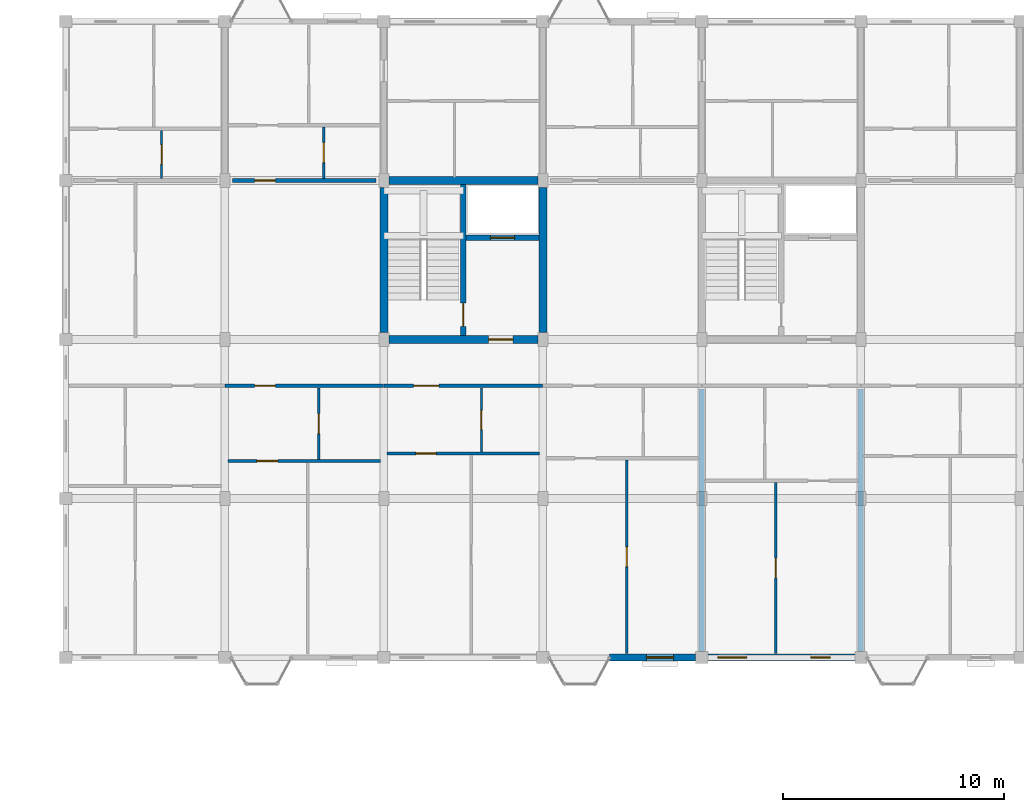
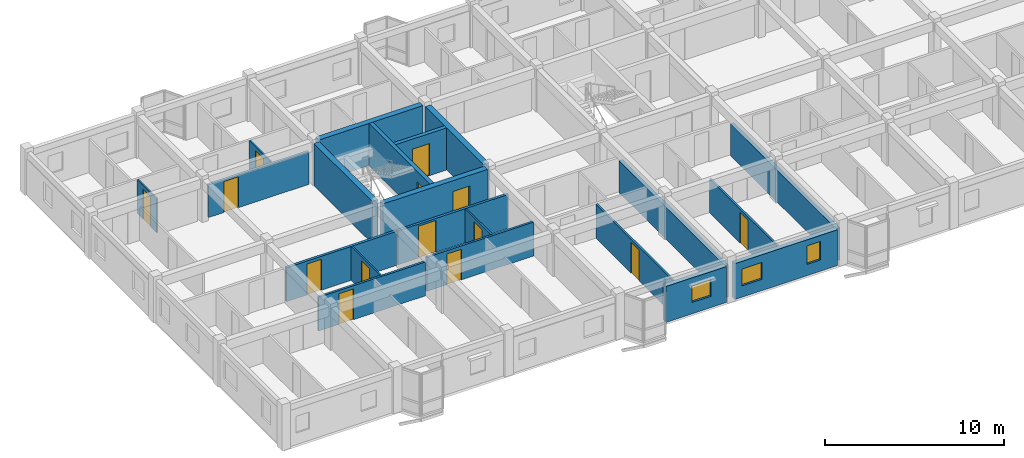
# One storey, part 66 of 77: 21 walls, 14 doors, 3 windows, 17 openings.
"""IFC4 building model written with IfcOpenShell, lengths in metres."""

from ifc_helpers import new_model, si_unit, direction, frame, frame_2d, origin, place, context, subcontext, project, spatial, rectangle, extrude, material, layer, layer_set, type_object, element, fill, save


model = new_model("IFC4")

# Units and contexts
model_context = context("Model", 3, precision=1e-05, world=origin(), true_north=direction((0.0, 1.0)))
body_context = subcontext(model_context, "Body", "Model", "MODEL_VIEW")
ifc_project = project(units=[si_unit("LENGTHUNIT", "METRE"), si_unit("AREAUNIT", "SQUARE_METRE"), si_unit("VOLUMEUNIT", "CUBIC_METRE"), si_unit("PLANEANGLEUNIT", "RADIAN"), si_unit("MASSUNIT", "GRAM", prefix="KILO"), si_unit("THERMODYNAMICTEMPERATUREUNIT", "KELVIN"), si_unit("POWERUNIT", "WATT")], contexts=[model_context])

# Site, building, storey
site_placement = place(None, origin())
site = spatial("IfcSite", under=ifc_project, at=site_placement, CompositionType="ELEMENT")
building_placement = place(site_placement, origin())
building = spatial("IfcBuilding", under=site, at=building_placement, Name="Tavuni Mirador Residences", CompositionType="ELEMENT")
storey_placement = place(building_placement, frame((0.0, 0.0, 17.10009765625)))
storey = spatial("IfcBuildingStorey", under=building, at=storey_placement, Name="L05", CompositionType="ELEMENT", Elevation=17.10009765625)

# Wall, opening, door
ifc_material_1 = material(Name="Precast concrete C40/50", Category="concrete")
ifc_layer_1 = layer(ifc_material_1, 0.25, Name="Precast concrete C40/50", Category="concrete")
ifc_layer_set_1 = layer_set([ifc_layer_1], Name="Precast concrete C40/50")
wall_type_1 = type_object("IfcWallType", Name="WT-COR250", PredefinedType="SHEAR", material=ifc_layer_set_1)
wall_1_placement = place(storey_placement, frame((28.800048828125, 158.580078125, 0.0), z_axis=(0.0, 0.0, 1.0), x_axis=(0.0, 1.0, 0.0)))
wall_1 = element("IfcWall", 1, at=wall_1_placement, inside=storey, type_object=wall_type_1, Name="CWALL-C5-L05-MID", PredefinedType="SHEAR", context=body_context, shape_type="SweptSolid", body=[
    extrude(rectangle(XDim=6.83984375, YDim=0.25, at=frame_2d((3.419921875, 0.0))), origin(), (0.0, 0.0, 1.0), 2.885009765625),
])
opening_1_placement = place(wall_1_placement, frame((0.419921875, 0.0, 0.0)))
opening_1 = element("IfcOpeningElement", 2, at=opening_1_placement, cuts=wall_1, Name="Opening D-01", PredefinedType="OPENING", context=body_context, shape_type="SweptSolid", body=[
    extrude(rectangle(XDim=1.050048828125, YDim=2.14990234375, at=frame_2d((0.52490234375, 1.074951171875))), frame((0.0, 0.135009765625, 0.0), z_axis=(0.0, -1.0, 0.0), x_axis=(1.0, 0.0, 0.0)), (0.0, 0.0, 1.0), 0.27001953125),
])
ifc_material_2 = material(Name="Solid core iroko timber", Category="wood")
door_type_1 = type_object("IfcDoorType", Name="DT-ST1050", OperationType="NOTDEFINED", PredefinedType="DOOR", material=ifc_material_2)
door_1_placement = place(opening_1_placement, origin())
door_1 = element("IfcDoor", 3, at=door_1_placement, inside=storey, type_object=door_type_1, Name="DR-2190", OperationType="SINGLE_SWING_RIGHT", OverallHeight=2.14990234375, OverallWidth=1.050048828125, PredefinedType="DOOR", context=body_context, shape_type="SweptSolid", body=[
    extrude(rectangle(XDim=1.050048828125, YDim=2.14990234375, at=frame_2d((0.52490234375, 1.074951171875))), frame((0.0, 0.02490234375, 0.0), z_axis=(0.0, -1.0, 0.0), x_axis=(1.0, 0.0, 0.0)), (0.0, 0.0, 1.0), 0.050048828125),
])
fill(opening_1, door_1)

wall_2_placement = place(storey_placement, frame((28.925048828125, 163.0, 0.0), z_axis=(0.0, 0.0, 1.0), x_axis=(1.0, 0.0, 0.0)))
wall_2 = element("IfcWall", 4, at=wall_2_placement, inside=storey, type_object=wall_type_1, Name="CWALL-C5-L05-SHF", PredefinedType="SHEAR", context=body_context, shape_type="SweptSolid", body=[
    extrude(rectangle(XDim=3.294921875, YDim=0.25, at=frame_2d((1.6474609375, 0.0))), origin(), (0.0, 0.0, 1.0), 2.885009765625),
])
opening_2_placement = place(wall_2_placement, frame((1.10009765625, 0.0, 0.0)))
opening_2 = element("IfcOpeningElement", 5, at=opening_2_placement, cuts=wall_2, Name="Opening LD-01", PredefinedType="OPENING", context=body_context, shape_type="SweptSolid", body=[
    extrude(rectangle(XDim=1.10009765625, YDim=2.199951171875, at=frame_2d((0.550048828125, 1.10009765625))), frame((0.0, 0.135009765625, 0.0), z_axis=(0.0, -1.0, 0.0), x_axis=(1.0, 0.0, 0.0)), (0.0, 0.0, 1.0), 0.27001953125),
])
ifc_material_3 = material(Name="Structural steel S355", Category="steel")
door_type_2 = type_object("IfcDoorType", Name="DT-LD-FF", OperationType="SLIDING_TO_LEFT", PredefinedType="DOOR", material=ifc_material_3)
door_2_placement = place(opening_2_placement, origin())
door_2 = element("IfcDoor", 6, at=door_2_placement, inside=storey, type_object=door_type_2, Name="Lift landing door FL-C1 L05", OperationType="SLIDING_TO_LEFT", OverallHeight=2.199951171875, OverallWidth=1.10009765625, PredefinedType="DOOR", context=body_context, shape_type="SweptSolid", body=[
    extrude(rectangle(XDim=1.10009765625, YDim=2.199951171875, at=frame_2d((0.550048828125, 1.10009765625))), frame((0.0, 0.02490234375, 0.0), z_axis=(0.0, -1.0, 0.0), x_axis=(1.0, 0.0, 0.0)), (0.0, 0.0, 1.0), 0.050048828125),
])
fill(opening_2, door_2)

# Walls
ifc_layer_2 = layer(ifc_material_1, 0.360107421875, Name="Precast concrete C40/50", Category="concrete")
ifc_layer_set_2 = layer_set([ifc_layer_2], Name="Precast concrete C40/50")
wall_type_2 = type_object("IfcWallType", Name="WT-COR360", PredefinedType="SHEAR", material=ifc_layer_set_2)
wall_3_placement = place(storey_placement, frame((25.199951171875, 158.72509765625, 0.0), z_axis=(0.0, 0.0, 1.0), x_axis=(0.0, 1.0, 0.0)))
element("IfcWall", 7, at=wall_3_placement, inside=storey, type_object=wall_type_2, Name="CWALL-C5-L05-W", PredefinedType="SHEAR", context=body_context, shape_type="SweptSolid", body=[
    extrude(rectangle(XDim=6.5498046875, YDim=0.360107421875, at=frame_2d((3.27490234375, 0.0))), origin(), (0.0, 0.0, 1.0), 2.885009765625),
])
wall_4_placement = place(storey_placement, frame((25.425048828125, 165.60009765625, 0.0), z_axis=(0.0, 0.0, 1.0), x_axis=(1.0, 0.0, 0.0)))
element("IfcWall", 8, at=wall_4_placement, inside=storey, type_object=wall_type_2, Name="CWALL-C5-L05-N", PredefinedType="SHEAR", context=body_context, shape_type="SweptSolid", body=[
    extrude(rectangle(XDim=6.75, YDim=0.360107421875, at=frame_2d((3.375, 0.0))), origin(), (0.0, 0.0, 1.0), 2.885009765625),
])
wall_5_placement = place(storey_placement, frame((32.39990234375, 158.72509765625, 0.0), z_axis=(0.0, 0.0, 1.0), x_axis=(0.0, 1.0, 0.0)))
element("IfcWall", 9, at=wall_5_placement, inside=storey, type_object=wall_type_2, Name="CWALL-C5-L05-E", PredefinedType="SHEAR", context=body_context, shape_type="SweptSolid", body=[
    extrude(rectangle(XDim=6.5498046875, YDim=0.360107421875, at=frame_2d((3.27490234375, 0.0))), origin(), (0.0, 0.0, 1.0), 2.885009765625),
])

# Wall, opening, door
wall_6_placement = place(storey_placement, frame((25.425048828125, 158.39990234375, 0.0), z_axis=(0.0, 0.0, 1.0), x_axis=(1.0, 0.0, 0.0)))
wall_6 = element("IfcWall", 10, at=wall_6_placement, inside=storey, type_object=wall_type_2, Name="CWALL-C5-L05-SS", PredefinedType="SHEAR", context=body_context, shape_type="SweptSolid", body=[
    extrude(rectangle(XDim=6.75, YDim=0.360107421875, at=frame_2d((3.375, 0.0))), origin(), (0.0, 0.0, 1.0), 2.885009765625),
])
opening_3_placement = place(wall_6_placement, frame((4.52490234375, 0.0, 0.0)))
opening_3 = element("IfcOpeningElement", 11, at=opening_3_placement, cuts=wall_6, Name="Opening D-02", PredefinedType="OPENING", context=body_context, shape_type="SweptSolid", body=[
    extrude(rectangle(XDim=1.10009765625, YDim=2.14990234375, at=frame_2d((0.550048828125, 1.074951171875))), frame((0.0, 0.18994140625, 0.0), z_axis=(0.0, -1.0, 0.0), x_axis=(1.0, 0.0, 0.0)), (0.0, 0.0, 1.0), 0.380126953125),
])
door_type_3 = type_object("IfcDoorType", Name="DT-LOB1100", OperationType="NOTDEFINED", PredefinedType="DOOR", material=ifc_material_2)
door_3_placement = place(opening_3_placement, frame((1.10009765625, 0.0, 0.0), z_axis=(0.0, 0.0, 1.0), x_axis=(-1.0, 0.0, 0.0)))
door_3 = element("IfcDoor", 12, at=door_3_placement, inside=storey, type_object=door_type_3, Name="DR-2189", OperationType="SINGLE_SWING_LEFT", OverallHeight=2.14990234375, OverallWidth=1.10009765625, PredefinedType="DOOR", context=body_context, shape_type="SweptSolid", body=[
    extrude(rectangle(XDim=1.10009765625, YDim=2.14990234375, at=frame_2d((0.550048828125, 1.074951171875))), frame((0.0, 0.02490234375, 0.0), z_axis=(0.0, -1.0, 0.0), x_axis=(1.0, 0.0, 0.0)), (0.0, 0.0, 1.0), 0.050048828125),
])
fill(opening_3, door_3)

ifc_layer_3 = layer(ifc_material_1, 0.1650390625, Name="Precast concrete C40/50", Category="concrete")
ifc_layer_set_3 = layer_set([ifc_layer_3], Name="Precast concrete C40/50")
wall_type_3 = type_object("IfcWallType", Name="WT-CORR165", PredefinedType="PARTITIONING", material=ifc_layer_set_3)
wall_7_placement = place(storey_placement, frame((18.02001953125, 156.300048828125, 0.0), z_axis=(0.0, 0.0, 1.0), x_axis=(1.0, 0.0, 0.0)))
wall_7 = element("IfcWall", 13, at=wall_7_placement, inside=storey, type_object=wall_type_3, Name="CORW-BLK-C-L05-0-01", PredefinedType="PARTITIONING", context=body_context, shape_type="SweptSolid", body=[
    extrude(rectangle(XDim=7.159912109375, YDim=0.1650390625, at=frame_2d((3.580078125, 0.0))), origin(), (0.0, 0.0, 1.0), 2.31982421875),
])
opening_4_placement = place(wall_7_placement, frame((1.330078125, 0.0, 0.0)))
opening_4 = element("IfcOpeningElement", 14, at=opening_4_placement, cuts=wall_7, Name="Opening D-19", PredefinedType="OPENING", context=body_context, shape_type="SweptSolid", body=[
    extrude(rectangle(XDim=0.93994140625, YDim=2.1201171875, at=frame_2d((0.469970703125, 1.06005859375))), frame((0.0, 0.092529296875, 0.0), z_axis=(0.0, -1.0, 0.0), x_axis=(1.0, 0.0, 0.0)), (0.0, 0.0, 1.0), 0.18505859375),
])
door_type_4 = type_object("IfcDoorType", Name="DT-FD60-940", OperationType="NOTDEFINED", PredefinedType="DOOR", material=ifc_material_2)
door_4_placement = place(opening_4_placement, origin())
door_4 = element("IfcDoor", 15, at=door_4_placement, inside=storey, type_object=door_type_4, Name="DR-2692", OperationType="SINGLE_SWING_LEFT", OverallHeight=2.1201171875, OverallWidth=0.93994140625, PredefinedType="DOOR", context=body_context, shape_type="SweptSolid", body=[
    extrude(rectangle(XDim=0.93994140625, YDim=2.1201171875, at=frame_2d((0.469970703125, 1.06005859375))), frame((0.0, 0.02490234375, 0.0), z_axis=(0.0, -1.0, 0.0), x_axis=(1.0, 0.0, 0.0)), (0.0, 0.0, 1.0), 0.050048828125),
])
fill(opening_4, door_4)

wall_8_placement = place(storey_placement, frame((25.219970703125, 156.300048828125, 0.0), z_axis=(0.0, 0.0, 1.0), x_axis=(1.0, 0.0, 0.0)))
wall_8 = element("IfcWall", 16, at=wall_8_placement, inside=storey, type_object=wall_type_3, Name="CORW-BLK-C-L05-0-02", PredefinedType="PARTITIONING", context=body_context, shape_type="SweptSolid", body=[
    extrude(rectangle(XDim=7.159912109375, YDim=0.1650390625, at=frame_2d((3.580078125, 0.0))), origin(), (0.0, 0.0, 1.0), 2.31982421875),
])
opening_5_placement = place(wall_8_placement, frame((1.330078125, 0.0, 0.0)))
opening_5 = element("IfcOpeningElement", 17, at=opening_5_placement, cuts=wall_8, Name="Opening D-20", PredefinedType="OPENING", context=body_context, shape_type="SweptSolid", body=[
    extrude(rectangle(XDim=1.139892578125, YDim=2.179931640625, at=frame_2d((0.56982421875, 1.08984375))), frame((0.0, 0.092529296875, 0.0), z_axis=(0.0, -1.0, 0.0), x_axis=(1.0, 0.0, 0.0)), (0.0, 0.0, 1.0), 0.18505859375),
])
door_type_5 = type_object("IfcDoorType", Name="DT-FD60-1140", OperationType="NOTDEFINED", PredefinedType="DOOR", material=ifc_material_2)
door_5_placement = place(opening_5_placement, origin())
door_5 = element("IfcDoor", 18, at=door_5_placement, inside=storey, type_object=door_type_5, Name="DR-2693", OperationType="SINGLE_SWING_RIGHT", OverallHeight=2.179931640625, OverallWidth=1.139892578125, PredefinedType="DOOR", context=body_context, shape_type="SweptSolid", body=[
    extrude(rectangle(XDim=1.139892578125, YDim=2.179931640625, at=frame_2d((0.56982421875, 1.08984375))), frame((0.0, 0.02490234375, 0.0), z_axis=(0.0, -1.0, 0.0), x_axis=(1.0, 0.0, 0.0)), (0.0, 0.0, 1.0), 0.050048828125),
])
fill(opening_5, door_5)

wall_9_placement = place(storey_placement, frame((18.35009765625, 165.60009765625, 0.0), z_axis=(0.0, 0.0, 1.0), x_axis=(1.0, 0.0, 0.0)))
wall_9 = element("IfcWall", 19, at=wall_9_placement, inside=storey, type_object=wall_type_3, Name="CORW-BLK-C-L05-1-01", PredefinedType="PARTITIONING", context=body_context, shape_type="SweptSolid", body=[
    extrude(rectangle(XDim=6.5, YDim=0.1650390625, at=frame_2d((3.25, 0.0))), origin(), (0.0, 0.0, 1.0), 2.23486328125),
])
opening_6_placement = place(wall_9_placement, frame((1.0, 0.0, 0.0)))
opening_6 = element("IfcOpeningElement", 20, at=opening_6_placement, cuts=wall_9, Name="Opening D-19", PredefinedType="OPENING", context=body_context, shape_type="SweptSolid", body=[
    extrude(rectangle(XDim=0.93994140625, YDim=2.1201171875, at=frame_2d((0.469970703125, 1.06005859375))), frame((0.0, 0.092529296875, 0.0), z_axis=(0.0, -1.0, 0.0), x_axis=(1.0, 0.0, 0.0)), (0.0, 0.0, 1.0), 0.18505859375),
])
door_6_placement = place(opening_6_placement, origin())
door_6 = element("IfcDoor", 21, at=door_6_placement, inside=storey, type_object=door_type_4, Name="DR-2701", OperationType="SINGLE_SWING_RIGHT", OverallHeight=2.1201171875, OverallWidth=0.93994140625, PredefinedType="DOOR", context=body_context, shape_type="SweptSolid", body=[
    extrude(rectangle(XDim=0.93994140625, YDim=2.1201171875, at=frame_2d((0.469970703125, 1.06005859375))), frame((0.0, 0.02490234375, 0.0), z_axis=(0.0, -1.0, 0.0), x_axis=(1.0, 0.0, 0.0)), (0.0, 0.0, 1.0), 0.050048828125),
])
fill(opening_6, door_6)

# Wall, openings, windows
ifc_material_4 = material(Name="Sgraffito lime-rendered precast concrete C40/50", Category="concrete")
ifc_layer_4 = layer(ifc_material_4, 0.304931640625, Name="Sgraffito lime-rendered precast concrete C40/50", Category="concrete")
ifc_layer_set_4 = layer_set([ifc_layer_4], Name="Sgraffito lime-rendered precast concrete C40/50")
wall_type_4 = type_object("IfcWallType", Name="WT-EXT-PC305", PredefinedType="SOLIDWALL", material=ifc_layer_set_4)
wall_10_placement = place(storey_placement, frame((39.875, 144.0, 0.0), z_axis=(0.0, 0.0, 1.0), x_axis=(1.0, 0.0, 0.0)))
wall_10 = element("IfcWall", 22, at=wall_10_placement, inside=storey, type_object=wall_type_4, Name="EW-BLK-C-L05-S04", PredefinedType="SOLIDWALL", context=body_context, shape_type="SweptSolid", body=[
    extrude(rectangle(XDim=6.64990234375, YDim=0.304931640625, at=frame_2d((3.324951171875, 0.0))), origin(), (0.0, 0.0, 1.0), 2.454833984375),
])
opening_7_placement = place(wall_10_placement, frame((0.449951171875, 0.0, 0.780029296875)))
opening_7 = element("IfcOpeningElement", 23, at=opening_7_placement, cuts=wall_10, Name="Opening WN-07", PredefinedType="OPENING", context=body_context, shape_type="SweptSolid", body=[
    extrude(rectangle(XDim=1.320068359375, YDim=1.14990234375, at=frame_2d((0.66015625, 0.574951171875))), frame((0.0, 0.16259765625, 0.0), z_axis=(0.0, -1.0, 0.0), x_axis=(1.0, 0.0, 0.0)), (0.0, 0.0, 1.0), 0.324951171875),
])
opening_8_placement = place(wall_10_placement, frame((4.64990234375, 0.0, 0.780029296875)))
opening_8 = element("IfcOpeningElement", 24, at=opening_8_placement, cuts=wall_10, Name="Opening WN-09", PredefinedType="OPENING", context=body_context, shape_type="SweptSolid", body=[
    extrude(rectangle(XDim=0.8798828125, YDim=1.260009765625, at=frame_2d((0.43994140625, 0.6298828125))), frame((0.0, 0.16259765625, 0.0), z_axis=(0.0, -1.0, 0.0), x_axis=(1.0, 0.0, 0.0)), (0.0, 0.0, 1.0), 0.324951171875),
])
ifc_material_5 = material(Name="Laminated solar-control glass", Category="glass")
window_type_1 = type_object("IfcWindowType", Name="WNT-07", PartitioningType="SINGLE_PANEL", PredefinedType="WINDOW", material=ifc_material_5)
window_1_placement = place(opening_7_placement, origin())
window_1 = element("IfcWindow", 25, at=window_1_placement, inside=storey, type_object=window_type_1, Name="WIN-1051", OverallHeight=1.14990234375, OverallWidth=1.320068359375, PartitioningType="SINGLE_PANEL", PredefinedType="WINDOW", context=body_context, shape_type="SweptSolid", body=[
    extrude(rectangle(XDim=1.320068359375, YDim=1.14990234375, at=frame_2d((0.66015625, 0.574951171875))), frame((0.0, 0.030029296875, 0.0), z_axis=(0.0, -1.0, 0.0), x_axis=(1.0, 0.0, 0.0)), (0.0, 0.0, 1.0), 0.06005859375),
])
fill(opening_7, window_1)
window_type_2 = type_object("IfcWindowType", Name="WNT-09", PartitioningType="SINGLE_PANEL", PredefinedType="WINDOW", material=ifc_material_5)
window_2_placement = place(opening_8_placement, origin())
window_2 = element("IfcWindow", 26, at=window_2_placement, inside=storey, type_object=window_type_2, Name="WIN-1052", OverallHeight=1.260009765625, OverallWidth=0.8798828125, PartitioningType="SINGLE_PANEL", PredefinedType="WINDOW", context=body_context, shape_type="SweptSolid", body=[
    extrude(rectangle(XDim=0.8798828125, YDim=1.260009765625, at=frame_2d((0.43994140625, 0.6298828125))), frame((0.0, 0.030029296875, 0.0), z_axis=(0.0, -1.0, 0.0), x_axis=(1.0, 0.0, 0.0)), (0.0, 0.0, 1.0), 0.06005859375),
])
fill(opening_8, window_2)

# Wall, opening, window
ifc_layer_5 = layer(ifc_material_4, 0.31494140625, Name="Sgraffito lime-rendered precast concrete C40/50", Category="concrete")
ifc_layer_set_5 = layer_set([ifc_layer_5], Name="Sgraffito lime-rendered precast concrete C40/50")
wall_type_5 = type_object("IfcWallType", Name="WT-EXT-PC315", PredefinedType="SOLIDWALL", material=ifc_layer_set_5)
wall_11_placement = place(storey_placement, frame((35.419921875, 144.0, 0.0), z_axis=(0.0, 0.0, 1.0), x_axis=(1.0, 0.0, 0.0)))
wall_11 = element("IfcWall", 27, at=wall_11_placement, inside=storey, type_object=wall_type_5, Name="EW-BLK-C-L05-S03", PredefinedType="SOLIDWALL", context=body_context, shape_type="SweptSolid", body=[
    extrude(rectangle(XDim=3.905029296875, YDim=0.31494140625, at=frame_2d((1.95263671875, 0.0))), origin(), (0.0, 0.0, 1.0), 2.454833984375),
])
opening_9_placement = place(wall_11_placement, frame((1.66748046875, 0.0, 0.780029296875)))
opening_9 = element("IfcOpeningElement", 28, at=opening_9_placement, cuts=wall_11, Name="Opening WN-06", PredefinedType="OPENING", context=body_context, shape_type="SweptSolid", body=[
    extrude(rectangle(XDim=1.239990234375, YDim=1.14990234375, at=frame_2d((0.6201171875, 0.574951171875))), frame((0.0, 0.16748046875, 0.0), z_axis=(0.0, -1.0, 0.0), x_axis=(1.0, 0.0, 0.0)), (0.0, 0.0, 1.0), 0.3349609375),
])
window_type_3 = type_object("IfcWindowType", Name="WNT-06", PartitioningType="SINGLE_PANEL", PredefinedType="WINDOW", material=ifc_material_5)
window_3_placement = place(opening_9_placement, origin())
window_3 = element("IfcWindow", 29, at=window_3_placement, inside=storey, type_object=window_type_3, Name="WIN-1050", OverallHeight=1.14990234375, OverallWidth=1.239990234375, PartitioningType="SINGLE_PANEL", PredefinedType="WINDOW", context=body_context, shape_type="SweptSolid", body=[
    extrude(rectangle(XDim=1.239990234375, YDim=1.14990234375, at=frame_2d((0.6201171875, 0.574951171875))), frame((0.0, 0.030029296875, 0.0), z_axis=(0.0, -1.0, 0.0), x_axis=(1.0, 0.0, 0.0)), (0.0, 0.0, 1.0), 0.06005859375),
])
fill(opening_9, window_3)

# Wall, opening, door
ifc_material_6 = material(Name="Acoustic gypsum and concrete block partition", Category="concrete")
ifc_layer_6 = layer(ifc_material_6, 0.094970703125, Name="Acoustic gypsum and concrete block partition", Category="concrete")
ifc_layer_set_6 = layer_set([ifc_layer_6], Name="Acoustic gypsum and concrete block partition")
wall_type_6 = type_object("IfcWallType", Name="WT-PART095", PredefinedType="PARTITIONING", material=ifc_layer_set_6)
wall_12_placement = place(storey_placement, frame((15.139892578125, 165.68994140625, 0.0), z_axis=(0.0, 0.0, 1.0), x_axis=(0.0, 1.0, 0.0)))
wall_12 = element("IfcWall", 30, at=wall_12_placement, inside=storey, type_object=wall_type_6, Name="PW-BLK-C-L05-N00-IN1", PredefinedType="PARTITIONING", context=body_context, shape_type="SweptSolid", body=[
    extrude(rectangle(XDim=2.18017578125, YDim=0.094970703125, at=frame_2d((1.090087890625, 0.0))), origin(), (0.0, 0.0, 1.0), 2.31982421875),
])
opening_10_placement = place(wall_12_placement, frame((0.655029296875, 0.0, 0.0)))
opening_10 = element("IfcOpeningElement", 31, at=opening_10_placement, cuts=wall_12, Name="Opening D-10", PredefinedType="OPENING", context=body_context, shape_type="SweptSolid", body=[
    extrude(rectangle(XDim=0.8701171875, YDim=2.050048828125, at=frame_2d((0.43505859375, 1.02490234375))), frame((0.0, 0.0576171875, 0.0), z_axis=(0.0, -1.0, 0.0), x_axis=(1.0, 0.0, 0.0)), (0.0, 0.0, 1.0), 0.114990234375),
])
door_type_6 = type_object("IfcDoorType", Name="DT-WC870", OperationType="NOTDEFINED", PredefinedType="DOOR", material=ifc_material_2)
door_7_placement = place(opening_10_placement, origin())
door_7 = element("IfcDoor", 32, at=door_7_placement, inside=storey, type_object=door_type_6, Name="DR-3911", OperationType="SINGLE_SWING_RIGHT", OverallHeight=2.050048828125, OverallWidth=0.8701171875, PredefinedType="DOOR", context=body_context, shape_type="SweptSolid", body=[
    extrude(rectangle(XDim=0.8701171875, YDim=2.050048828125, at=frame_2d((0.43505859375, 1.02490234375))), frame((0.0, 0.02490234375, 0.0), z_axis=(0.0, -1.0, 0.0), x_axis=(1.0, 0.0, 0.0)), (0.0, 0.0, 1.0), 0.050048828125),
])
fill(opening_10, door_7)

wall_13_placement = place(storey_placement, frame((22.47998046875, 165.68994140625, 0.0), z_axis=(0.0, 0.0, 1.0), x_axis=(0.0, 1.0, 0.0)))
wall_13 = element("IfcWall", 33, at=wall_13_placement, inside=storey, type_object=wall_type_6, Name="PW-BLK-C-L05-N01-IN1", PredefinedType="PARTITIONING", context=body_context, shape_type="SweptSolid", body=[
    extrude(rectangle(XDim=2.340087890625, YDim=0.094970703125, at=frame_2d((1.169921875, 0.0))), origin(), (0.0, 0.0, 1.0), 2.31982421875),
])
opening_11_placement = place(wall_13_placement, frame((0.719970703125, 0.0, 0.0)))
opening_11 = element("IfcOpeningElement", 34, at=opening_11_placement, cuts=wall_13, Name="Opening D-09", PredefinedType="OPENING", context=body_context, shape_type="SweptSolid", body=[
    extrude(rectangle(XDim=0.89990234375, YDim=2.050048828125, at=frame_2d((0.449951171875, 1.02490234375))), frame((0.0, 0.0576171875, 0.0), z_axis=(0.0, -1.0, 0.0), x_axis=(1.0, 0.0, 0.0)), (0.0, 0.0, 1.0), 0.114990234375),
])
door_type_7 = type_object("IfcDoorType", Name="DT-WC900", OperationType="NOTDEFINED", PredefinedType="DOOR", material=ifc_material_2)
door_8_placement = place(opening_11_placement, origin())
door_8 = element("IfcDoor", 35, at=door_8_placement, inside=storey, type_object=door_type_7, Name="DR-3917", OperationType="SINGLE_SWING_LEFT", OverallHeight=2.050048828125, OverallWidth=0.89990234375, PredefinedType="DOOR", context=body_context, shape_type="SweptSolid", body=[
    extrude(rectangle(XDim=0.89990234375, YDim=2.050048828125, at=frame_2d((0.449951171875, 1.02490234375))), frame((0.0, 0.02490234375, 0.0), z_axis=(0.0, -1.0, 0.0), x_axis=(1.0, 0.0, 0.0)), (0.0, 0.0, 1.0), 0.050048828125),
])
fill(opening_11, door_8)

ifc_layer_7 = layer(ifc_material_6, 0.10498046875, Name="Acoustic gypsum and concrete block partition", Category="concrete")
ifc_layer_set_7 = layer_set([ifc_layer_7], Name="Acoustic gypsum and concrete block partition")
wall_type_7 = type_object("IfcWallType", Name="WT-PART105", PredefinedType="PARTITIONING", material=ifc_layer_set_7)
wall_14_placement = place(storey_placement, frame((22.25, 152.969970703125, 0.0), z_axis=(0.0, 0.0, 1.0), x_axis=(0.0, 1.0, 0.0)))
wall_14 = element("IfcWall", 36, at=wall_14_placement, inside=storey, type_object=wall_type_7, Name="PW-BLK-C-L05-S01-IN1", PredefinedType="PARTITIONING", context=body_context, shape_type="SweptSolid", body=[
    extrude(rectangle(XDim=3.239990234375, YDim=0.10498046875, at=frame_2d((1.6201171875, 0.0))), origin(), (0.0, 0.0, 1.0), 2.31982421875),
])
opening_12_placement = place(wall_14_placement, frame((1.169921875, 0.0, 0.0)))
opening_12 = element("IfcOpeningElement", 37, at=opening_12_placement, cuts=wall_14, Name="Opening D-09", PredefinedType="OPENING", context=body_context, shape_type="SweptSolid", body=[
    extrude(rectangle(XDim=0.89990234375, YDim=2.050048828125, at=frame_2d((0.449951171875, 1.02490234375))), frame((0.0, 0.0625, 0.0), z_axis=(0.0, -1.0, 0.0), x_axis=(1.0, 0.0, 0.0)), (0.0, 0.0, 1.0), 0.125),
])
door_9_placement = place(opening_12_placement, origin())
door_9 = element("IfcDoor", 38, at=door_9_placement, inside=storey, type_object=door_type_7, Name="DR-3914", OperationType="SINGLE_SWING_LEFT", OverallHeight=2.050048828125, OverallWidth=0.89990234375, PredefinedType="DOOR", context=body_context, shape_type="SweptSolid", body=[
    extrude(rectangle(XDim=0.89990234375, YDim=2.050048828125, at=frame_2d((0.449951171875, 1.02490234375))), frame((0.0, 0.02490234375, 0.0), z_axis=(0.0, -1.0, 0.0), x_axis=(1.0, 0.0, 0.0)), (0.0, 0.0, 1.0), 0.050048828125),
])
fill(opening_12, door_9)

wall_15_placement = place(storey_placement, frame((29.6201171875, 153.31005859375, 0.0), z_axis=(0.0, 0.0, 1.0), x_axis=(0.0, 1.0, 0.0)))
wall_15 = element("IfcWall", 39, at=wall_15_placement, inside=storey, type_object=wall_type_7, Name="PW-BLK-C-L05-S02-IN1", PredefinedType="PARTITIONING", context=body_context, shape_type="SweptSolid", body=[
    extrude(rectangle(XDim=2.89990234375, YDim=0.10498046875, at=frame_2d((1.449951171875, 0.0))), origin(), (0.0, 0.0, 1.0), 2.31982421875),
])
opening_13_placement = place(wall_15_placement, frame((1.014892578125, 0.0, 0.0)))
opening_13 = element("IfcOpeningElement", 40, at=opening_13_placement, cuts=wall_15, Name="Opening D-10", PredefinedType="OPENING", context=body_context, shape_type="SweptSolid", body=[
    extrude(rectangle(XDim=0.8701171875, YDim=2.050048828125, at=frame_2d((0.43505859375, 1.02490234375))), frame((0.0, 0.0625, 0.0), z_axis=(0.0, -1.0, 0.0), x_axis=(1.0, 0.0, 0.0)), (0.0, 0.0, 1.0), 0.125),
])
door_10_placement = place(opening_13_placement, origin())
door_10 = element("IfcDoor", 41, at=door_10_placement, inside=storey, type_object=door_type_6, Name="DR-3920", OperationType="SINGLE_SWING_RIGHT", OverallHeight=2.050048828125, OverallWidth=0.8701171875, PredefinedType="DOOR", context=body_context, shape_type="SweptSolid", body=[
    extrude(rectangle(XDim=0.8701171875, YDim=2.050048828125, at=frame_2d((0.43505859375, 1.02490234375))), frame((0.0, 0.02490234375, 0.0), z_axis=(0.0, -1.0, 0.0), x_axis=(1.0, 0.0, 0.0)), (0.0, 0.0, 1.0), 0.050048828125),
])
fill(opening_13, door_10)

ifc_layer_8 = layer(ifc_material_6, 0.125, Name="Acoustic gypsum and concrete block partition", Category="concrete")
ifc_layer_set_8 = layer_set([ifc_layer_8], Name="Acoustic gypsum and concrete block partition")
wall_type_8 = type_object("IfcWallType", Name="WT-PART125", PredefinedType="PARTITIONING", material=ifc_layer_set_8)
wall_16_placement = place(storey_placement, frame((36.199951171875, 144.175048828125, 0.0), z_axis=(0.0, 0.0, 1.0), x_axis=(0.0, 1.0, 0.0)))
wall_16 = element("IfcWall", 42, at=wall_16_placement, inside=storey, type_object=wall_type_8, Name="PW-BLK-C-L05-S03-OUT", PredefinedType="PARTITIONING", context=body_context, shape_type="SweptSolid", body=[
    extrude(rectangle(XDim=8.77490234375, YDim=0.125, at=frame_2d((4.387451171875, 0.0))), origin(), (0.0, 0.0, 1.0), 2.31982421875),
])
opening_14_placement = place(wall_16_placement, frame((3.9375, 0.0, 0.0)))
opening_14 = element("IfcOpeningElement", 43, at=opening_14_placement, cuts=wall_16, Name="Opening D-07", PredefinedType="OPENING", context=body_context, shape_type="SweptSolid", body=[
    extrude(rectangle(XDim=0.89990234375, YDim=2.10009765625, at=frame_2d((0.449951171875, 1.050048828125))), frame((0.0, 0.072509765625, 0.0), z_axis=(0.0, -1.0, 0.0), x_axis=(1.0, 0.0, 0.0)), (0.0, 0.0, 1.0), 0.14501953125),
])
door_type_8 = type_object("IfcDoorType", Name="DT-BED900", OperationType="NOTDEFINED", PredefinedType="DOOR", material=ifc_material_2)
door_11_placement = place(opening_14_placement, origin())
door_11 = element("IfcDoor", 44, at=door_11_placement, inside=storey, type_object=door_type_8, Name="DR-3924", OperationType="SINGLE_SWING_RIGHT", OverallHeight=2.10009765625, OverallWidth=0.89990234375, PredefinedType="DOOR", context=body_context, shape_type="SweptSolid", body=[
    extrude(rectangle(XDim=0.89990234375, YDim=2.10009765625, at=frame_2d((0.449951171875, 1.050048828125))), frame((0.0, 0.02490234375, 0.0), z_axis=(0.0, -1.0, 0.0), x_axis=(1.0, 0.0, 0.0)), (0.0, 0.0, 1.0), 0.050048828125),
])
fill(opening_14, door_11)

wall_17_placement = place(storey_placement, frame((42.949951171875, 144.175048828125, 0.0), z_axis=(0.0, 0.0, 1.0), x_axis=(0.0, 1.0, 0.0)))
wall_17 = element("IfcWall", 45, at=wall_17_placement, inside=storey, type_object=wall_type_8, Name="PW-BLK-C-L05-S04-OUT", PredefinedType="PARTITIONING", context=body_context, shape_type="SweptSolid", body=[
    extrude(rectangle(XDim=7.7548828125, YDim=0.125, at=frame_2d((3.87744140625, 0.0))), origin(), (0.0, 0.0, 1.0), 2.31982421875),
])
opening_15_placement = place(wall_17_placement, frame((3.427490234375, 0.0, 0.0)))
opening_15 = element("IfcOpeningElement", 46, at=opening_15_placement, cuts=wall_17, Name="Opening D-07", PredefinedType="OPENING", context=body_context, shape_type="SweptSolid", body=[
    extrude(rectangle(XDim=0.89990234375, YDim=2.10009765625, at=frame_2d((0.449951171875, 1.050048828125))), frame((0.0, 0.072509765625, 0.0), z_axis=(0.0, -1.0, 0.0), x_axis=(1.0, 0.0, 0.0)), (0.0, 0.0, 1.0), 0.14501953125),
])
door_12_placement = place(opening_15_placement, origin())
door_12 = element("IfcDoor", 47, at=door_12_placement, inside=storey, type_object=door_type_8, Name="DR-3930", OperationType="SINGLE_SWING_RIGHT", OverallHeight=2.10009765625, OverallWidth=0.89990234375, PredefinedType="DOOR", context=body_context, shape_type="SweptSolid", body=[
    extrude(rectangle(XDim=0.89990234375, YDim=2.10009765625, at=frame_2d((0.449951171875, 1.050048828125))), frame((0.0, 0.02490234375, 0.0), z_axis=(0.0, -1.0, 0.0), x_axis=(1.0, 0.0, 0.0)), (0.0, 0.0, 1.0), 0.050048828125),
])
fill(opening_15, door_12)

ifc_layer_9 = layer(ifc_material_6, 0.139892578125, Name="Acoustic gypsum and concrete block partition", Category="concrete")
ifc_layer_set_9 = layer_set([ifc_layer_9], Name="Acoustic gypsum and concrete block partition")
wall_type_9 = type_object("IfcWallType", Name="WT-PART140", PredefinedType="PARTITIONING", material=ifc_layer_set_9)
wall_18_placement = place(storey_placement, frame((18.139892578125, 152.89990234375, 0.0), z_axis=(0.0, 0.0, 1.0), x_axis=(1.0, 0.0, 0.0)))
wall_18 = element("IfcWall", 48, at=wall_18_placement, inside=storey, type_object=wall_type_9, Name="PW-BLK-C-L05-S01-MID", PredefinedType="PARTITIONING", context=body_context, shape_type="SweptSolid", body=[
    extrude(rectangle(XDim=6.920166015625, YDim=0.139892578125, at=frame_2d((3.4599609375, 0.0))), origin(), (0.0, 0.0, 1.0), 2.31982421875),
])
opening_16_placement = place(wall_18_placement, frame((1.31005859375, 0.0, 0.0)))
opening_16 = element("IfcOpeningElement", 49, at=opening_16_placement, cuts=wall_18, Name="Opening D-05", PredefinedType="OPENING", context=body_context, shape_type="SweptSolid", body=[
    extrude(rectangle(XDim=0.949951171875, YDim=2.10009765625, at=frame_2d((0.47509765625, 1.050048828125))), frame((0.0, 0.080078125, 0.0), z_axis=(0.0, -1.0, 0.0), x_axis=(1.0, 0.0, 0.0)), (0.0, 0.0, 1.0), 0.159912109375),
])
door_type_9 = type_object("IfcDoorType", Name="DT-INT950", OperationType="NOTDEFINED", PredefinedType="DOOR", material=ifc_material_2)
door_13_placement = place(opening_16_placement, origin())
door_13 = element("IfcDoor", 50, at=door_13_placement, inside=storey, type_object=door_type_9, Name="DR-3915", OperationType="SINGLE_SWING_LEFT", OverallHeight=2.10009765625, OverallWidth=0.949951171875, PredefinedType="DOOR", context=body_context, shape_type="SweptSolid", body=[
    extrude(rectangle(XDim=0.949951171875, YDim=2.10009765625, at=frame_2d((0.47509765625, 1.050048828125))), frame((0.0, 0.02490234375, 0.0), z_axis=(0.0, -1.0, 0.0), x_axis=(1.0, 0.0, 0.0)), (0.0, 0.0, 1.0), 0.050048828125),
])
fill(opening_16, door_13)

wall_19_placement = place(storey_placement, frame((25.340087890625, 153.239990234375, 0.0), z_axis=(0.0, 0.0, 1.0), x_axis=(1.0, 0.0, 0.0)))
wall_19 = element("IfcWall", 51, at=wall_19_placement, inside=storey, type_object=wall_type_9, Name="PW-BLK-C-L05-S02-MID", PredefinedType="PARTITIONING", context=body_context, shape_type="SweptSolid", body=[
    extrude(rectangle(XDim=6.919921875, YDim=0.139892578125, at=frame_2d((3.4599609375, 0.0))), origin(), (0.0, 0.0, 1.0), 2.31982421875),
])
opening_17_placement = place(wall_19_placement, frame((1.31005859375, 0.0, 0.0)))
opening_17 = element("IfcOpeningElement", 52, at=opening_17_placement, cuts=wall_19, Name="Opening D-06", PredefinedType="OPENING", context=body_context, shape_type="SweptSolid", body=[
    extrude(rectangle(XDim=0.919921875, YDim=2.10009765625, at=frame_2d((0.4599609375, 1.050048828125))), frame((0.0, 0.080078125, 0.0), z_axis=(0.0, -1.0, 0.0), x_axis=(1.0, 0.0, 0.0)), (0.0, 0.0, 1.0), 0.159912109375),
])
door_type_10 = type_object("IfcDoorType", Name="DT-INT920", OperationType="NOTDEFINED", PredefinedType="DOOR", material=ifc_material_2)
door_14_placement = place(opening_17_placement, origin())
door_14 = element("IfcDoor", 53, at=door_14_placement, inside=storey, type_object=door_type_10, Name="DR-3921", OperationType="SINGLE_SWING_RIGHT", OverallHeight=2.10009765625, OverallWidth=0.919921875, PredefinedType="DOOR", context=body_context, shape_type="SweptSolid", body=[
    extrude(rectangle(XDim=0.919921875, YDim=2.10009765625, at=frame_2d((0.4599609375, 1.050048828125))), frame((0.0, 0.02490234375, 0.0), z_axis=(0.0, -1.0, 0.0), x_axis=(1.0, 0.0, 0.0)), (0.0, 0.0, 1.0), 0.050048828125),
])
fill(opening_17, door_14)

# Walls
ifc_layer_10 = layer(ifc_material_1, 0.235107421875, Name="Precast concrete C40/50", Category="concrete")
ifc_layer_set_10 = layer_set([ifc_layer_10], Name="Precast concrete C40/50")
wall_type_10 = type_object("IfcWallType", Name="WT-XW235", PredefinedType="SOLIDWALL", material=ifc_layer_set_10)
for number, where, z_axis, x_axis, name in (
    (54, (39.60009765625, 144.27490234375, 0.0), (0.0, 0.0, 1.0), (0.0, 1.0, 0.0), "XW-BLK-C-L05-S-04"),
    (55, (46.800048828125, 144.27490234375, 0.0), (0.0, 0.0, 1.0), (0.0, 1.0, 0.0), "XW-BLK-C-L05-S-05"),
):
    element("IfcWall", number, at=place(storey_placement, frame(where, z_axis=z_axis, x_axis=x_axis)), inside=storey, type_object=wall_type_10, Name=name, PredefinedType="SOLIDWALL", context=body_context, shape_type="SweptSolid", body=[
        extrude(rectangle(XDim=11.875, YDim=0.235107421875, at=frame_2d((5.9375, 0.0))), origin(), (0.0, 0.0, 1.0), 2.184814453125),
    ])

save(model, "model.ifc")
